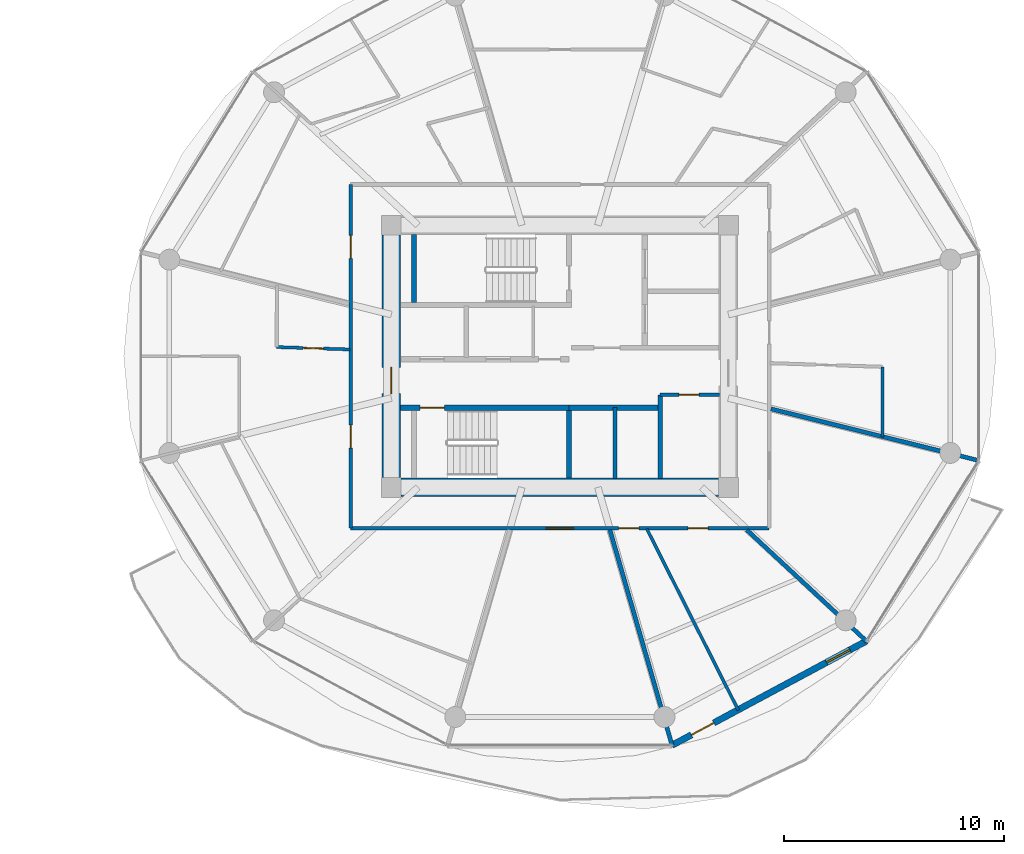
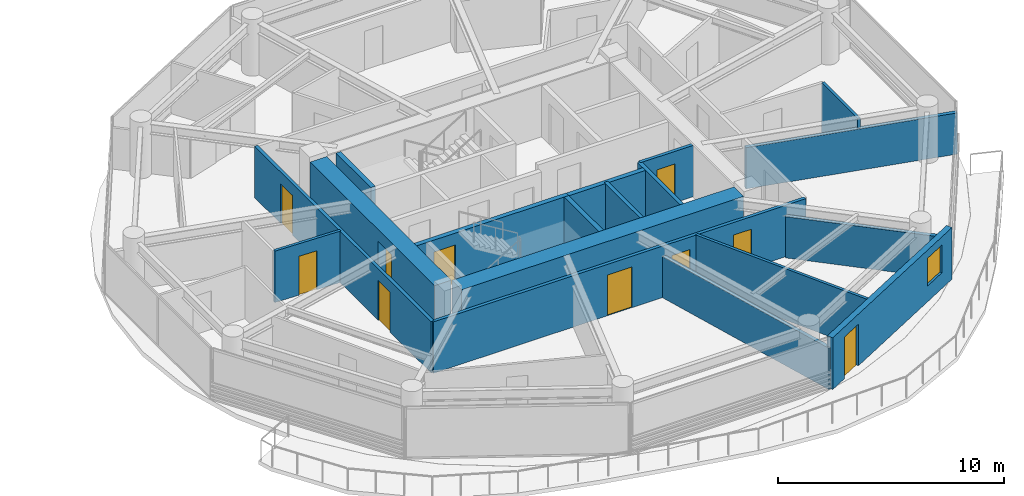
# One storey, part 18 of 26: 18 walls, 10 doors, 1 window, 11 openings.
"""IFC4 building model written with IfcOpenShell, lengths in metres."""

from ifc_helpers import new_model, si_unit, direction, frame, frame_2d, origin, place, context, subcontext, project, spatial, rectangle, extrude, source, transform, mapped, material, layer, layer_set, type_object, type_shapes, element, fill, save


model = new_model("IFC4")

# Units and contexts
model_context = context("Model", 3, precision=1e-05, world=origin(), true_north=direction((0.0, 1.0)))
body_context = subcontext(model_context, "Body", "Model", "MODEL_VIEW")
ifc_project = project(units=[si_unit("LENGTHUNIT", "METRE"), si_unit("AREAUNIT", "SQUARE_METRE"), si_unit("VOLUMEUNIT", "CUBIC_METRE"), si_unit("PLANEANGLEUNIT", "RADIAN"), si_unit("MASSUNIT", "GRAM", prefix="KILO")], contexts=[model_context])

# Site, building, storey
site_placement = place(None, origin())
site = spatial("IfcSite", under=ifc_project, at=site_placement, CompositionType="ELEMENT")
building_placement = place(site_placement, origin())
building = spatial("IfcBuilding", under=site, at=building_placement, Name="Norrkilde Senior Care Towers", CompositionType="ELEMENT")
storey_placement = place(building_placement, frame((0.0, 0.0, 24.64990234375)))
storey = spatial("IfcBuildingStorey", under=building, at=storey_placement, Name="L06", CompositionType="ELEMENT", Elevation=24.64990234375)

# Wall
ifc_material_1 = material(Name="Concrete C60/75", Category="concrete")
ifc_layer_1 = layer(ifc_material_1, 0.85009765625)
ifc_layer_set_1 = layer_set([ifc_layer_1], Name="Concrete C60/75")
wall_type_1 = type_object("IfcWallType", Name="Core Shear Wall Z1 850", PredefinedType="SHEAR", material=ifc_layer_set_1)
shared_shape_1 = source(origin(), body_context, "Body", "SweptSolid", [
    extrude(rectangle(XDim=14.39990234375, YDim=0.85009765625, at=frame_2d((7.199951171875, 0.0))), origin(), (0.0, 0.0, 1.0), 2.7900390625),
])
wall_1_placement = place(storey_placement, frame((35.199951171875, -5.949951171875, 0.0), z_axis=(0.0, 0.0, 1.0), x_axis=(-1.0, 0.0, 0.0)))
element("IfcWall", 1, at=wall_1_placement, inside=storey, type_object=wall_type_1, Name="L06 Core E South Shear Wall", PredefinedType="SHEAR", context=body_context, shape_type="MappedRepresentation", body=[
    mapped(shared_shape_1, transform((0.0, 0.0, 0.0), x_axis=(1.0, 0.0, 0.0), y_axis=(0.0, 1.0, 0.0), z_axis=(0.0, 0.0, 1.0), scale=1.0)),
])

# Wall, opening, door
shared_shape_2 = source(origin(), body_context, "Body", "SweptSolid", [
    extrude(rectangle(XDim=11.0, YDim=0.85009765625, at=frame_2d((5.5, 0.0))), origin(), (0.0, 0.0, 1.0), 2.7900390625),
])
type_shapes(wall_type_1, [shared_shape_1, shared_shape_2])
wall_2_placement = place(storey_placement, frame((20.35009765625, -5.5, 0.0), z_axis=(0.0, 0.0, 1.0), x_axis=(0.0, 1.0, 0.0)))
wall_2 = element("IfcWall", 2, at=wall_2_placement, inside=storey, type_object=wall_type_1, Name="L06 Core E West Shear Wall", PredefinedType="SHEAR", context=body_context, shape_type="MappedRepresentation", body=[
    mapped(shared_shape_2, transform((0.0, 0.0, 0.0), x_axis=(1.0, 0.0, 0.0), y_axis=(0.0, 1.0, 0.0), z_axis=(0.0, 0.0, 1.0), scale=1.0)),
])
opening_1_placement = place(wall_2_placement, frame((3.800048828125, 0.0, 0.0)))
opening_1 = element("IfcOpeningElement", 3, at=opening_1_placement, cuts=wall_2, Name="Opening D-04", PredefinedType="OPENING", context=body_context, shape_type="SweptSolid", body=[
    extrude(rectangle(XDim=1.199951171875, YDim=2.14990234375, at=frame_2d((0.60009765625, 1.074951171875))), frame((0.0, 0.43505859375, 0.0), z_axis=(0.0, -1.0, 0.0), x_axis=(1.0, 0.0, 0.0)), (0.0, 0.0, 1.0), 0.8701171875),
])
ifc_material_2 = material(Name="Galvanised Painted Steel", Category="steel")
door_type_1 = type_object("IfcDoorType", Name="Firefighting Lobby Fire Door 1200x2150", OperationType="NOTDEFINED", PredefinedType="DOOR", material=ifc_material_2)
shared_shape_3 = source(origin(), body_context, "Body", "SweptSolid", [
    extrude(rectangle(XDim=1.199951171875, YDim=2.14990234375, at=frame_2d((0.60009765625, 1.074951171875))), frame((0.0, 0.02490234375, 0.0), z_axis=(0.0, -1.0, 0.0), x_axis=(1.0, 0.0, 0.0)), (0.0, 0.0, 1.0), 0.050048828125),
])
type_shapes(door_type_1, [shared_shape_3])
door_1_placement = place(opening_1_placement, frame((1.199951171875, 0.0, 0.0), z_axis=(0.0, 0.0, 1.0), x_axis=(-1.0, 0.0, 0.0)))
door_1 = element("IfcDoor", 4, at=door_1_placement, inside=storey, type_object=door_type_1, Name="L06 Core E West Portal Door", OperationType="SINGLE_SWING_LEFT", OverallHeight=2.14990234375, OverallWidth=1.199951171875, PredefinedType="DOOR", context=body_context, shape_type="MappedRepresentation", body=[
    mapped(shared_shape_3, transform((0.0, 0.0, 0.0), x_axis=(1.0, 0.0, 0.0), y_axis=(0.0, 1.0, 0.0), z_axis=(0.0, 0.0, 1.0), scale=1.0)),
])
fill(opening_1, door_1)

# Wall, openings, door, window
ifc_material_3 = material(Name="Precast concrete C45/55", Category="concrete")
ifc_layer_2 = layer(ifc_material_3, 0.2900390625)
ifc_layer_set_2 = layer_set([ifc_layer_2], Name="Precast concrete C45/55")
wall_type_2 = type_object("IfcWallType", Name="Winter Garden Facade Wall 290", PredefinedType="SOLIDWALL", material=ifc_layer_set_2)
shared_shape_4 = source(origin(), body_context, "Body", "SweptSolid", [
    extrude(rectangle(XDim=10.0107421875, YDim=0.2900390625, at=frame_2d((5.00537109375, 0.0))), origin(), (0.0, 0.0, 1.0), 2.7900390625),
])
type_shapes(wall_type_2, [shared_shape_4])
wall_3_placement = place(storey_placement, frame((41.915771484375, -12.926025390625, 0.0), z_axis=(0.0, 0.0, 1.0), x_axis=(-0.881272505317, -0.472608475773, 0.0)))
wall_3 = element("IfcWall", 5, at=wall_3_placement, inside=storey, type_object=wall_type_2, Name="L06 Drum E Balcony Access Wall 09", PredefinedType="SOLIDWALL", context=body_context, shape_type="MappedRepresentation", body=[
    mapped(shared_shape_4, transform((0.0, 0.0, 0.0), x_axis=(1.0, 0.0, 0.0), y_axis=(0.0, 1.0, 0.0), z_axis=(0.0, 0.0, 1.0), scale=1.0)),
])
opening_2_placement = place(wall_3_placement, frame((7.860107421875, 0.0, 0.0)))
opening_2 = element("IfcOpeningElement", 6, at=opening_2_placement, cuts=wall_3, Name="Opening D-09", PredefinedType="OPENING", context=body_context, shape_type="SweptSolid", body=[
    extrude(rectangle(XDim=1.14990234375, YDim=2.25, at=frame_2d((0.574951171875, 1.125))), frame((0.0, 0.155029296875, 0.0), z_axis=(0.0, -1.0, 0.0), x_axis=(1.0, 0.0, 0.0)), (0.0, 0.0, 1.0), 0.31005859375),
])
opening_3_placement = place(wall_3_placement, frame((0.85009765625, 0.0, 0.85009765625)))
opening_3 = element("IfcOpeningElement", 7, at=opening_3_placement, cuts=wall_3, Name="Opening WN-07", PredefinedType="OPENING", context=body_context, shape_type="SweptSolid", body=[
    extrude(rectangle(XDim=1.199951171875, YDim=1.5, at=frame_2d((0.60009765625, 0.75))), frame((0.0, 0.155029296875, 0.0), z_axis=(0.0, -1.0, 0.0), x_axis=(1.0, 0.0, 0.0)), (0.0, 0.0, 1.0), 0.31005859375),
])
ifc_material_4 = material(Name="Anodised Aluminium", Category="aluminium")
door_type_2 = type_object("IfcDoorType", Name="Terrace and Balcony Glazed Door 1150x2250", OperationType="NOTDEFINED", PredefinedType="DOOR", material=ifc_material_4)
shared_shape_5 = source(origin(), body_context, "Body", "SweptSolid", [
    extrude(rectangle(XDim=1.14990234375, YDim=2.25, at=frame_2d((0.574951171875, 1.125))), frame((0.0, 0.02490234375, 0.0), z_axis=(0.0, -1.0, 0.0), x_axis=(1.0, 0.0, 0.0)), (0.0, 0.0, 1.0), 0.050048828125),
])
type_shapes(door_type_2, [shared_shape_5])
door_2_placement = place(opening_2_placement, origin())
door_2 = element("IfcDoor", 8, at=door_2_placement, inside=storey, type_object=door_type_2, Name="L06 Drum E Outdoor Terrace Door 09", OperationType="SINGLE_SWING_RIGHT", OverallHeight=2.25, OverallWidth=1.14990234375, PredefinedType="DOOR", context=body_context, shape_type="MappedRepresentation", body=[
    mapped(shared_shape_5, transform((0.0, 0.0, 0.0), x_axis=(1.0, 0.0, 0.0), y_axis=(0.0, 1.0, 0.0), z_axis=(0.0, 0.0, 1.0), scale=1.0)),
])
fill(opening_2, door_2)
ifc_material_5 = material(Name="Triple Low-E Insulated Glazing", Category="glass")
window_type = type_object("IfcWindowType", Name="Stairwell Smoke Vent Window 1200x1500", PartitioningType="SINGLE_PANEL", PredefinedType="WINDOW", material=ifc_material_5)
shared_shape_6 = source(origin(), body_context, "Body", "SweptSolid", [
    extrude(rectangle(XDim=1.199951171875, YDim=1.5, at=frame_2d((0.60009765625, 0.75))), frame((0.0, 0.030029296875, 0.0), z_axis=(0.0, -1.0, 0.0), x_axis=(1.0, 0.0, 0.0)), (0.0, 0.0, 1.0), 0.06005859375),
])
type_shapes(window_type, [shared_shape_6])
window_placement = place(opening_3_placement, origin())
window = element("IfcWindow", 9, at=window_placement, inside=storey, type_object=window_type, Name="L06 Drum E Winter Garden Window 09", OverallHeight=1.5, OverallWidth=1.199951171875, PartitioningType="SINGLE_PANEL", PredefinedType="WINDOW", context=body_context, shape_type="MappedRepresentation", body=[
    mapped(shared_shape_6, transform((0.0, 0.0, 0.0), x_axis=(1.0, 0.0, 0.0), y_axis=(0.0, 1.0, 0.0), z_axis=(0.0, 0.0, 1.0), scale=1.0)),
])
fill(opening_3, window)

# Wall, opening, door
ifc_material_6 = material(Name="Concrete C45/55", Category="concrete")
ifc_layer_3 = layer(ifc_material_6, 0.239990234375)
ifc_layer_set_3 = layer_set([ifc_layer_3], Name="Concrete C45/55")
wall_type_3 = type_object("IfcWallType", Name="Shaft and Stair Enclosure Wall 240", PredefinedType="PARTITIONING", material=ifc_layer_set_3)
shared_shape_7 = source(origin(), body_context, "Body", "SweptSolid", [
    extrude(rectangle(XDim=7.76513671875, YDim=0.239990234375, at=frame_2d((3.882568359375, 0.0))), origin(), (0.0, 0.0, 1.0), 2.7900390625),
])
wall_4_placement = place(storey_placement, frame((20.77490234375, -2.330078125, 0.0), z_axis=(0.0, 0.0, 1.0), x_axis=(1.0, 0.0, 0.0)))
wall_4 = element("IfcWall", 10, at=wall_4_placement, inside=storey, type_object=wall_type_3, Name="WL-INT-L06-E-ST2N", PredefinedType="PARTITIONING", context=body_context, shape_type="MappedRepresentation", body=[
    mapped(shared_shape_7, transform((0.0, 0.0, 0.0), x_axis=(1.0, 0.0, 0.0), y_axis=(0.0, 1.0, 0.0), z_axis=(0.0, 0.0, 1.0), scale=1.0)),
])
opening_4_placement = place(wall_4_placement, frame((0.885009765625, 0.0, 0.0)))
opening_4 = element("IfcOpeningElement", 11, at=opening_4_placement, cuts=wall_4, Name="Opening D-03", PredefinedType="OPENING", context=body_context, shape_type="SweptSolid", body=[
    extrude(rectangle(XDim=1.10009765625, YDim=2.14990234375, at=frame_2d((0.550048828125, 1.074951171875))), frame((0.0, 0.1298828125, 0.0), z_axis=(0.0, -1.0, 0.0), x_axis=(1.0, 0.0, 0.0)), (0.0, 0.0, 1.0), 0.260009765625),
])
door_type_3 = type_object("IfcDoorType", Name="Stairwell Protected Fire Door 1100x2150", OperationType="NOTDEFINED", PredefinedType="DOOR", material=ifc_material_2)
shared_shape_8 = source(origin(), body_context, "Body", "SweptSolid", [
    extrude(rectangle(XDim=1.10009765625, YDim=2.14990234375, at=frame_2d((0.550048828125, 1.074951171875))), frame((0.0, 0.02490234375, 0.0), z_axis=(0.0, -1.0, 0.0), x_axis=(1.0, 0.0, 0.0)), (0.0, 0.0, 1.0), 0.050048828125),
])
type_shapes(door_type_3, [shared_shape_8])
door_3_placement = place(opening_4_placement, frame((1.10009765625, 0.0, 0.0), z_axis=(0.0, 0.0, 1.0), x_axis=(-1.0, 0.0, 0.0)))
door_3 = element("IfcDoor", 12, at=door_3_placement, inside=storey, type_object=door_type_3, Name="L06 Stair E2 Fire Door", OperationType="SINGLE_SWING_RIGHT", OverallHeight=2.14990234375, OverallWidth=1.10009765625, PredefinedType="DOOR", context=body_context, shape_type="MappedRepresentation", body=[
    mapped(shared_shape_8, transform((0.0, 0.0, 0.0), x_axis=(1.0, 0.0, 0.0), y_axis=(0.0, 1.0, 0.0), z_axis=(0.0, 0.0, 1.0), scale=1.0)),
])
fill(opening_4, door_3)

# Walls
shared_shape_9 = source(origin(), body_context, "Body", "SweptSolid", [
    extrude(rectangle(XDim=3.074951171875, YDim=0.239990234375, at=frame_2d((1.53759765625, 0.0))), origin(), (0.0, 0.0, 1.0), 2.7900390625),
])
type_shapes(wall_type_3, [shared_shape_7, shared_shape_9])
for number, where, z_axis, x_axis, name in (
    (13, (21.3798828125, 2.449951171875, 0.0), (0.0, 0.0, 1.0), (0.0, 1.0, 0.0), "WL-INT-L06-E-ST1W"),
    (14, (28.419921875, -5.52490234375, 0.0), (0.0, 0.0, 1.0), (0.0, 1.0, 0.0), "WL-INT-L06-E-ST2E"),
):
    element("IfcWall", number, at=place(storey_placement, frame(where, z_axis=z_axis, x_axis=x_axis)), inside=storey, type_object=wall_type_3, Name=name, PredefinedType="PARTITIONING", context=body_context, shape_type="MappedRepresentation", body=[
        mapped(shared_shape_9, transform((0.0, 0.0, 0.0), x_axis=(1.0, 0.0, 0.0), y_axis=(0.0, 1.0, 0.0), z_axis=(0.0, 0.0, 1.0), scale=1.0)),
    ])
ifc_layer_4 = layer(ifc_material_6, 0.199951171875)
ifc_layer_set_4 = layer_set([ifc_layer_4], Name="Concrete C45/55")
wall_type_4 = type_object("IfcWallType", Name="Shaft Division and Plant Partition 200", PredefinedType="PARTITIONING", material=ifc_layer_set_4)
shared_shape_10 = source(origin(), body_context, "Body", "SweptSolid", [
    extrude(rectangle(XDim=3.800048828125, YDim=0.199951171875, at=frame_2d((1.89990234375, 0.0))), origin(), (0.0, 0.0, 1.0), 2.775146484375),
])
type_shapes(wall_type_4, [shared_shape_10])
wall_5_placement = place(storey_placement, frame((32.550048828125, -5.550048828125, 0.0), z_axis=(0.0, 0.0, 1.0), x_axis=(0.0, 1.0, 0.0)))
element("IfcWall", 15, at=wall_5_placement, inside=storey, type_object=wall_type_4, Name="WL-INT-L06-E-PKBE", PredefinedType="PARTITIONING", context=body_context, shape_type="MappedRepresentation", body=[
    mapped(shared_shape_10, transform((0.0, 0.0, 0.0), x_axis=(1.0, 0.0, 0.0), y_axis=(0.0, 1.0, 0.0), z_axis=(0.0, 0.0, 1.0), scale=1.0)),
])
ifc_layer_5 = layer(ifc_material_6, 0.239990234375)
ifc_layer_set_5 = layer_set([ifc_layer_5], Name="Concrete C45/55")
wall_type_5 = type_object("IfcWallType", Name="Lift and Plant Rated Enclosure Partition 240", PredefinedType="PARTITIONING", material=ifc_layer_set_5)
shared_shape_11 = source(origin(), body_context, "Body", "SweptSolid", [
    extrude(rectangle(XDim=4.130126953125, YDim=0.239990234375, at=frame_2d((2.06494140625, 0.0))), origin(), (0.0, 0.0, 1.0), 2.775146484375),
])
type_shapes(wall_type_5, [shared_shape_11])
wall_6_placement = place(storey_placement, frame((28.419921875, -2.330078125, 0.0), z_axis=(0.0, 0.0, 1.0), x_axis=(1.0, 0.0, 0.0)))
element("IfcWall", 16, at=wall_6_placement, inside=storey, type_object=wall_type_5, Name="WL-INT-L06-E-PKBN", PredefinedType="PARTITIONING", context=body_context, shape_type="MappedRepresentation", body=[
    mapped(shared_shape_11, transform((0.0, 0.0, 0.0), x_axis=(1.0, 0.0, 0.0), y_axis=(0.0, 1.0, 0.0), z_axis=(0.0, 0.0, 1.0), scale=1.0)),
])
ifc_layer_6 = layer(ifc_material_6, 0.179931640625)
ifc_layer_set_6 = layer_set([ifc_layer_6], Name="Concrete C45/55")
wall_type_6 = type_object("IfcWallType", Name="Hoistway Division Rated Partition 180", PredefinedType="PARTITIONING", material=ifc_layer_set_6)
shared_shape_12 = source(origin(), body_context, "Body", "SweptSolid", [
    extrude(rectangle(XDim=3.219970703125, YDim=0.179931640625, at=frame_2d((1.60986328125, 0.0))), origin(), (0.0, 0.0, 1.0), 2.775146484375),
])
type_shapes(wall_type_6, [shared_shape_12])
wall_7_placement = place(storey_placement, frame((30.5, -5.550048828125, 0.0), z_axis=(0.0, 0.0, 1.0), x_axis=(0.0, 1.0, 0.0)))
element("IfcWall", 17, at=wall_7_placement, inside=storey, type_object=wall_type_6, Name="WL-INT-L06-E-PL34", PredefinedType="PARTITIONING", context=body_context, shape_type="MappedRepresentation", body=[
    mapped(shared_shape_12, transform((0.0, 0.0, 0.0), x_axis=(1.0, 0.0, 0.0), y_axis=(0.0, 1.0, 0.0), z_axis=(0.0, 0.0, 1.0), scale=1.0)),
])

# Wall, opening, door
ifc_material_7 = material(Name="Gypsum Acoustic Board")
ifc_layer_7 = layer(ifc_material_7, 0.1650390625)
ifc_layer_set_7 = layer_set([ifc_layer_7], Name="Gypsum Acoustic Board")
wall_type_7 = type_object("IfcWallType", Name="Corridor Rated Partition 165", PredefinedType="PARTITIONING", material=ifc_layer_set_7)
shared_shape_13 = source(origin(), body_context, "Body", "SweptSolid", [
    extrude(rectangle(XDim=2.699951171875, YDim=0.1650390625, at=frame_2d((1.35009765625, 0.0))), origin(), (0.0, 0.0, 1.0), 2.775146484375),
])
wall_8_placement = place(storey_placement, frame((32.550048828125, -1.75, 0.0), z_axis=(0.0, 0.0, 1.0), x_axis=(1.0, 0.0, 0.0)))
wall_8 = element("IfcWall", 18, at=wall_8_placement, inside=storey, type_object=wall_type_7, Name="WL-INT-L06-E-CSN", PredefinedType="PARTITIONING", context=body_context, shape_type="MappedRepresentation", body=[
    mapped(shared_shape_13, transform((0.0, 0.0, 0.0), x_axis=(1.0, 0.0, 0.0), y_axis=(0.0, 1.0, 0.0), z_axis=(0.0, 0.0, 1.0), scale=1.0)),
])
opening_5_placement = place(wall_8_placement, frame((0.85009765625, 0.0, 0.0)))
opening_5 = element("IfcOpeningElement", 19, at=opening_5_placement, cuts=wall_8, Name="Opening D-12", PredefinedType="OPENING", context=body_context, shape_type="SweptSolid", body=[
    extrude(rectangle(XDim=0.925048828125, YDim=2.10009765625, at=frame_2d((0.46240234375, 1.050048828125))), frame((0.0, 0.092529296875, 0.0), z_axis=(0.0, -1.0, 0.0), x_axis=(1.0, 0.0, 0.0)), (0.0, 0.0, 1.0), 0.18505859375),
])
door_type_4 = type_object("IfcDoorType", Name="Core Wet Room Rated Door 925x2100", OperationType="NOTDEFINED", PredefinedType="DOOR", material=ifc_material_2)
shared_shape_14 = source(origin(), body_context, "Body", "SweptSolid", [
    extrude(rectangle(XDim=0.925048828125, YDim=2.10009765625, at=frame_2d((0.46240234375, 1.050048828125))), frame((0.0, 0.02490234375, 0.0), z_axis=(0.0, -1.0, 0.0), x_axis=(1.0, 0.0, 0.0)), (0.0, 0.0, 1.0), 0.050048828125),
])
type_shapes(door_type_4, [shared_shape_14])
door_4_placement = place(opening_5_placement, origin())
door_4 = element("IfcDoor", 20, at=door_4_placement, inside=storey, type_object=door_type_4, Name="L06 Core Utility E Door", OperationType="SINGLE_SWING_LEFT", OverallHeight=2.10009765625, OverallWidth=0.925048828125, PredefinedType="DOOR", context=body_context, shape_type="MappedRepresentation", body=[
    mapped(shared_shape_14, transform((0.0, 0.0, 0.0), x_axis=(1.0, 0.0, 0.0), y_axis=(0.0, 1.0, 0.0), z_axis=(0.0, 0.0, 1.0), scale=1.0)),
])
fill(opening_5, door_4)

# Wall, openings, doors
shared_shape_15 = source(origin(), body_context, "Body", "SweptSolid", [
    extrude(rectangle(XDim=19.0, YDim=0.1650390625, at=frame_2d((9.5, 0.0))), origin(), (0.0, 0.0, 1.0), 2.775146484375),
])
wall_9_placement = place(storey_placement, frame((37.5, -7.800048828125, 0.0), z_axis=(0.0, 0.0, 1.0), x_axis=(-1.0, 0.0, 0.0)))
wall_9 = element("IfcWall", 21, at=wall_9_placement, inside=storey, type_object=wall_type_7, Name="WL-INT-L06-E-CRW-S-0", PredefinedType="PARTITIONING", context=body_context, shape_type="MappedRepresentation", body=[
    mapped(shared_shape_15, transform((0.0, 0.0, 0.0), x_axis=(1.0, 0.0, 0.0), y_axis=(0.0, 1.0, 0.0), z_axis=(0.0, 0.0, 1.0), scale=1.0)),
])
opening_6_placement = place(wall_9_placement, frame((8.875, 0.0, 0.0)))
opening_6 = element("IfcOpeningElement", 22, at=opening_6_placement, cuts=wall_9, Name="Opening D-05", PredefinedType="OPENING", context=body_context, shape_type="SweptSolid", body=[
    extrude(rectangle(XDim=1.25, YDim=2.199951171875, at=frame_2d((0.625, 1.10009765625))), frame((0.0, 0.092529296875, 0.0), z_axis=(0.0, -1.0, 0.0), x_axis=(1.0, 0.0, 0.0)), (0.0, 0.0, 1.0), 0.18505859375),
])
opening_7_placement = place(wall_9_placement, frame((5.915283203125, 0.0, 0.0)))
opening_7 = element("IfcOpeningElement", 23, at=opening_7_placement, cuts=wall_9, Name="Opening D-08", PredefinedType="OPENING", context=body_context, shape_type="SweptSolid", body=[
    extrude(rectangle(XDim=0.919921875, YDim=2.10009765625, at=frame_2d((0.4599609375, 1.050048828125))), frame((0.0, 0.092529296875, 0.0), z_axis=(0.0, -1.0, 0.0), x_axis=(1.0, 0.0, 0.0)), (0.0, 0.0, 1.0), 0.18505859375),
])
opening_8_placement = place(wall_9_placement, frame((2.76904296875, 0.0, 0.0)))
opening_8 = element("IfcOpeningElement", 24, at=opening_8_placement, cuts=wall_9, Name="Opening D-08", PredefinedType="OPENING", context=body_context, shape_type="SweptSolid", body=[
    extrude(rectangle(XDim=0.919921875, YDim=2.10009765625, at=frame_2d((0.4599609375, 1.050048828125))), frame((0.0, 0.092529296875, 0.0), z_axis=(0.0, -1.0, 0.0), x_axis=(1.0, 0.0, 0.0)), (0.0, 0.0, 1.0), 0.18505859375),
])
ifc_material_8 = material(Name="Nordic Ash Timber", Category="wood")
door_type_5 = type_object("IfcDoorType", Name="Care Bedroom Bariatric Door 1250x2200", OperationType="NOTDEFINED", PredefinedType="DOOR", material=ifc_material_8)
shared_shape_16 = source(origin(), body_context, "Body", "SweptSolid", [
    extrude(rectangle(XDim=1.25, YDim=2.199951171875, at=frame_2d((0.625, 1.10009765625))), frame((0.0, 0.02490234375, 0.0), z_axis=(0.0, -1.0, 0.0), x_axis=(1.0, 0.0, 0.0)), (0.0, 0.0, 1.0), 0.050048828125),
])
type_shapes(door_type_5, [shared_shape_16])
door_5_placement = place(opening_6_placement, frame((1.25, 0.0, 0.0), z_axis=(0.0, 0.0, 1.0), x_axis=(-1.0, 0.0, 0.0)))
door_5 = element("IfcDoor", 25, at=door_5_placement, inside=storey, type_object=door_type_5, Name="L06 Senior Wellness Library Lounge Door", OperationType="SINGLE_SWING_LEFT", OverallHeight=2.199951171875, OverallWidth=1.25, PredefinedType="DOOR", context=body_context, shape_type="MappedRepresentation", body=[
    mapped(shared_shape_16, transform((0.0, 0.0, 0.0), x_axis=(1.0, 0.0, 0.0), y_axis=(0.0, 1.0, 0.0), z_axis=(0.0, 0.0, 1.0), scale=1.0)),
])
fill(opening_6, door_5)
door_type_6 = type_object("IfcDoorType", Name="Accessible Wet Room Door 920x2100", OperationType="NOTDEFINED", PredefinedType="DOOR", material=ifc_material_8)
shared_shape_17 = source(origin(), body_context, "Body", "SweptSolid", [
    extrude(rectangle(XDim=0.919921875, YDim=2.10009765625, at=frame_2d((0.4599609375, 1.050048828125))), frame((0.0, 0.02490234375, 0.0), z_axis=(0.0, -1.0, 0.0), x_axis=(1.0, 0.0, 0.0)), (0.0, 0.0, 1.0), 0.050048828125),
])
type_shapes(door_type_6, [shared_shape_17])
door_6_placement = place(opening_7_placement, frame((0.919921875, 0.0, 0.0), z_axis=(0.0, 0.0, 1.0), x_axis=(-1.0, 0.0, 0.0)))
door_6 = element("IfcDoor", 26, at=door_6_placement, inside=storey, type_object=door_type_6, Name="L06 Accessible Restroom Door", OperationType="SINGLE_SWING_RIGHT", OverallHeight=2.10009765625, OverallWidth=0.919921875, PredefinedType="DOOR", context=body_context, shape_type="MappedRepresentation", body=[
    mapped(shared_shape_17, transform((0.0, 0.0, 0.0), x_axis=(1.0, 0.0, 0.0), y_axis=(0.0, 1.0, 0.0), z_axis=(0.0, 0.0, 1.0), scale=1.0)),
])
fill(opening_7, door_6)
door_7_placement = place(opening_8_placement, frame((0.919921875, 0.0, 0.0), z_axis=(0.0, 0.0, 1.0), x_axis=(-1.0, 0.0, 0.0)))
door_7 = element("IfcDoor", 27, at=door_7_placement, inside=storey, type_object=door_type_6, Name="L06 Public Restroom Door", OperationType="SINGLE_SWING_LEFT", OverallHeight=2.10009765625, OverallWidth=0.919921875, PredefinedType="DOOR", context=body_context, shape_type="MappedRepresentation", body=[
    mapped(shared_shape_17, transform((0.0, 0.0, 0.0), x_axis=(1.0, 0.0, 0.0), y_axis=(0.0, 1.0, 0.0), z_axis=(0.0, 0.0, 1.0), scale=1.0)),
])
fill(opening_8, door_7)

shared_shape_18 = source(origin(), body_context, "Body", "SweptSolid", [
    extrude(rectangle(XDim=15.60009765625, YDim=0.1650390625, at=frame_2d((7.800048828125, 0.0))), origin(), (0.0, 0.0, 1.0), 2.775146484375),
])
type_shapes(wall_type_7, [shared_shape_13, shared_shape_15, shared_shape_18])
wall_10_placement = place(storey_placement, frame((18.5, -7.800048828125, 0.0), z_axis=(0.0, 0.0, 1.0), x_axis=(0.0, 1.0, 0.0)))
wall_10 = element("IfcWall", 28, at=wall_10_placement, inside=storey, type_object=wall_type_7, Name="WL-INT-L06-E-CRW-W-0", PredefinedType="PARTITIONING", context=body_context, shape_type="MappedRepresentation", body=[
    mapped(shared_shape_18, transform((0.0, 0.0, 0.0), x_axis=(1.0, 0.0, 0.0), y_axis=(0.0, 1.0, 0.0), z_axis=(0.0, 0.0, 1.0), scale=1.0)),
])
opening_9_placement = place(wall_10_placement, frame((12.241455078125, 0.0, 0.0)))
opening_9 = element("IfcOpeningElement", 29, at=opening_9_placement, cuts=wall_10, Name="Opening D-06", PredefinedType="OPENING", context=body_context, shape_type="SweptSolid", body=[
    extrude(rectangle(XDim=1.050048828125, YDim=2.14990234375, at=frame_2d((0.52490234375, 1.074951171875))), frame((0.0, 0.092529296875, 0.0), z_axis=(0.0, -1.0, 0.0), x_axis=(1.0, 0.0, 0.0)), (0.0, 0.0, 1.0), 0.18505859375),
])
opening_10_placement = place(wall_10_placement, frame((3.63037109375, 0.0, 0.0)))
opening_10 = element("IfcOpeningElement", 30, at=opening_10_placement, cuts=wall_10, Name="Opening D-06", PredefinedType="OPENING", context=body_context, shape_type="SweptSolid", body=[
    extrude(rectangle(XDim=1.050048828125, YDim=2.14990234375, at=frame_2d((0.52490234375, 1.074951171875))), frame((0.0, 0.092529296875, 0.0), z_axis=(0.0, -1.0, 0.0), x_axis=(1.0, 0.0, 0.0)), (0.0, 0.0, 1.0), 0.18505859375),
])
door_type_7 = type_object("IfcDoorType", Name="Apartment Entrance Fire Door 1050x2150", OperationType="NOTDEFINED", PredefinedType="DOOR", material=ifc_material_8)
shared_shape_19 = source(origin(), body_context, "Body", "SweptSolid", [
    extrude(rectangle(XDim=1.050048828125, YDim=2.14990234375, at=frame_2d((0.52490234375, 1.074951171875))), frame((0.0, 0.02490234375, 0.0), z_axis=(0.0, -1.0, 0.0), x_axis=(1.0, 0.0, 0.0)), (0.0, 0.0, 1.0), 0.050048828125),
])
type_shapes(door_type_7, [shared_shape_19])
door_8_placement = place(opening_9_placement, frame((1.050048828125, 0.0, 0.0), z_axis=(0.0, 0.0, 1.0), x_axis=(-1.0, 0.0, 0.0)))
door_8 = element("IfcDoor", 31, at=door_8_placement, inside=storey, type_object=door_type_7, Name="Apartment 06B Entrance Door", OperationType="SINGLE_SWING_RIGHT", OverallHeight=2.14990234375, OverallWidth=1.050048828125, PredefinedType="DOOR", context=body_context, shape_type="MappedRepresentation", body=[
    mapped(shared_shape_19, transform((0.0, 0.0, 0.0), x_axis=(1.0, 0.0, 0.0), y_axis=(0.0, 1.0, 0.0), z_axis=(0.0, 0.0, 1.0), scale=1.0)),
])
fill(opening_9, door_8)
door_9_placement = place(opening_10_placement, frame((1.050048828125, 0.0, 0.0), z_axis=(0.0, 0.0, 1.0), x_axis=(-1.0, 0.0, 0.0)))
door_9 = element("IfcDoor", 32, at=door_9_placement, inside=storey, type_object=door_type_7, Name="Apartment 06C Entrance Door", OperationType="SINGLE_SWING_RIGHT", OverallHeight=2.14990234375, OverallWidth=1.050048828125, PredefinedType="DOOR", context=body_context, shape_type="MappedRepresentation", body=[
    mapped(shared_shape_19, transform((0.0, 0.0, 0.0), x_axis=(1.0, 0.0, 0.0), y_axis=(0.0, 1.0, 0.0), z_axis=(0.0, 0.0, 1.0), scale=1.0)),
])
fill(opening_10, door_9)

# Walls
ifc_layer_8 = layer(ifc_material_7, 0.18994140625)
ifc_layer_set_8 = layer_set([ifc_layer_8], Name="Gypsum Acoustic Board")
wall_type_8 = type_object("IfcWallType", Name="Unit Demising Acoustic Wall 190", PredefinedType="PARTITIONING", material=ifc_layer_set_8)
shared_shape_20 = source(origin(), body_context, "Body", "SweptSolid", [
    extrude(rectangle(XDim=7.4345703125, YDim=0.18994140625, at=frame_2d((3.71728515625, 0.0))), origin(), (0.0, 0.0, 1.0), 2.22509765625),
])
wall_11_placement = place(storey_placement, frame((36.48291015625, -7.8798828125, 0.0), z_axis=(0.0, 0.0, 1.0), x_axis=(0.732651956848, -0.680603489652, 0.0)))
element("IfcWall", 33, at=wall_11_placement, inside=storey, type_object=wall_type_8, Name="WL-INT-L06-E-DEM-10-0", PredefinedType="PARTITIONING", context=body_context, shape_type="MappedRepresentation", body=[
    mapped(shared_shape_20, transform((0.0, 0.0, 0.0), x_axis=(1.0, 0.0, 0.0), y_axis=(0.0, 1.0, 0.0), z_axis=(0.0, 0.0, 1.0), scale=1.0)),
])
shared_shape_21 = source(origin(), body_context, "Body", "SweptSolid", [
    extrude(rectangle(XDim=10.196044921875, YDim=0.18994140625, at=frame_2d((5.09814453125, 0.0))), origin(), (0.0, 0.0, 1.0), 2.22509765625),
])
wall_12_placement = place(storey_placement, frame((30.27294921875, -7.8798828125, 0.0), z_axis=(0.0, 0.0, 1.0), x_axis=(0.277136420347, -0.960830580549, 0.0)))
element("IfcWall", 34, at=wall_12_placement, inside=storey, type_object=wall_type_8, Name="WL-INT-L06-E-DEM-09-0", PredefinedType="PARTITIONING", context=body_context, shape_type="MappedRepresentation", body=[
    mapped(shared_shape_21, transform((0.0, 0.0, 0.0), x_axis=(1.0, 0.0, 0.0), y_axis=(0.0, 1.0, 0.0), z_axis=(0.0, 0.0, 1.0), scale=1.0)),
])
ifc_layer_9 = layer(ifc_material_7, 0.139892578125)
ifc_layer_set_9 = layer_set([ifc_layer_9], Name="Gypsum Acoustic Board")
wall_type_9 = type_object("IfcWallType", Name="En-suite Wet Room Wall 140", PredefinedType="PARTITIONING", material=ifc_layer_set_9)
shared_shape_22 = source(origin(), body_context, "Body", "SweptSolid", [
    extrude(rectangle(XDim=9.22509765625, YDim=0.139892578125, at=frame_2d((4.612548828125, 0.0))), origin(), (0.0, 0.0, 1.0), 2.775146484375),
])
wall_13_placement = place(storey_placement, frame((31.94580078125, -7.830078125, 0.0), z_axis=(0.0, 0.0, 1.0), x_axis=(0.450460543767, -0.892796336523, 0.0)))
element("IfcWall", 35, at=wall_13_placement, inside=storey, type_object=wall_type_9, Name="WL-INT-L06-E-MID-09", PredefinedType="PARTITIONING", context=body_context, shape_type="MappedRepresentation", body=[
    mapped(shared_shape_22, transform((0.0, 0.0, 0.0), x_axis=(1.0, 0.0, 0.0), y_axis=(0.0, 1.0, 0.0), z_axis=(0.0, 0.0, 1.0), scale=1.0)),
])
shared_shape_23 = source(origin(), body_context, "Body", "SweptSolid", [
    extrude(rectangle(XDim=9.737060546875, YDim=0.18994140625, at=frame_2d((4.86865234375, 0.0))), origin(), (0.0, 0.0, 1.0), 2.22509765625),
])
type_shapes(wall_type_8, [shared_shape_20, shared_shape_21, shared_shape_23])
wall_14_placement = place(storey_placement, frame((37.580078125, -2.384521484375, 0.0), z_axis=(0.0, 0.0, 1.0), x_axis=(0.970392716238, -0.241532557375, 0.0)))
element("IfcWall", 36, at=wall_14_placement, inside=storey, type_object=wall_type_8, Name="WL-INT-L06-E-DEM-11-0", PredefinedType="PARTITIONING", context=body_context, shape_type="MappedRepresentation", body=[
    mapped(shared_shape_23, transform((0.0, 0.0, 0.0), x_axis=(1.0, 0.0, 0.0), y_axis=(0.0, 1.0, 0.0), z_axis=(0.0, 0.0, 1.0), scale=1.0)),
])

# Wall, opening, door
shared_shape_24 = source(origin(), body_context, "Body", "SweptSolid", [
    extrude(rectangle(XDim=3.323486328125, YDim=0.139892578125, at=frame_2d((1.66162109375, 0.0))), origin(), (0.0, 0.0, 1.0), 2.775146484375),
])
wall_15_placement = place(storey_placement, frame((18.469970703125, 0.310791015625, 0.0), z_axis=(0.0, 0.0, 1.0), x_axis=(-0.999467979553, 0.032615300817, 0.0)))
wall_15 = element("IfcWall", 37, at=wall_15_placement, inside=storey, type_object=wall_type_9, Name="WL-INT-L06-E-UBTS-05", PredefinedType="PARTITIONING", context=body_context, shape_type="MappedRepresentation", body=[
    mapped(shared_shape_24, transform((0.0, 0.0, 0.0), x_axis=(1.0, 0.0, 0.0), y_axis=(0.0, 1.0, 0.0), z_axis=(0.0, 0.0, 1.0), scale=1.0)),
])
opening_11_placement = place(wall_15_placement, frame((1.201904296875, 0.0, 0.0)))
opening_11 = element("IfcOpeningElement", 38, at=opening_11_placement, cuts=wall_15, Name="Opening D-08", PredefinedType="OPENING", context=body_context, shape_type="SweptSolid", body=[
    extrude(rectangle(XDim=0.919921875, YDim=2.10009765625, at=frame_2d((0.4599609375, 1.050048828125))), frame((0.0, 0.079833984375, 0.0), z_axis=(0.0, -1.0, 0.0), x_axis=(1.0, 0.0, 0.0)), (0.0, 0.0, 1.0), 0.159912109375),
])
door_10_placement = place(opening_11_placement, origin())
door_10 = element("IfcDoor", 39, at=door_10_placement, inside=storey, type_object=door_type_6, Name="Apartment 06C Bathroom Door", OperationType="SINGLE_SWING_LEFT", OverallHeight=2.10009765625, OverallWidth=0.919921875, PredefinedType="DOOR", context=body_context, shape_type="MappedRepresentation", body=[
    mapped(shared_shape_17, transform((0.0, 0.0, 0.0), x_axis=(1.0, 0.0, 0.0), y_axis=(0.0, 1.0, 0.0), z_axis=(0.0, 0.0, 1.0), scale=1.0)),
])
fill(opening_11, door_10)

# Wall
shared_shape_25 = source(origin(), body_context, "Body", "SweptSolid", [
    extrude(rectangle(XDim=3.187255859375, YDim=0.139892578125, at=frame_2d((1.59375, 0.0))), origin(), (0.0, 0.0, 1.0), 2.775146484375),
])
type_shapes(wall_type_9, [shared_shape_22, shared_shape_24, shared_shape_25])
wall_16_placement = place(storey_placement, frame((42.655029296875, -0.477783203125, 0.0), z_axis=(0.0, 0.0, 1.0), x_axis=(-0.002221365642, -0.999997532764, 0.0)))
element("IfcWall", 40, at=wall_16_placement, inside=storey, type_object=wall_type_9, Name="WL-INT-L06-E-EF-11", PredefinedType="PARTITIONING", context=body_context, shape_type="MappedRepresentation", body=[
    mapped(shared_shape_25, transform((0.0, 0.0, 0.0), x_axis=(1.0, 0.0, 0.0), y_axis=(0.0, 1.0, 0.0), z_axis=(0.0, 0.0, 1.0), scale=1.0)),
])

save(model, "model.ifc")
